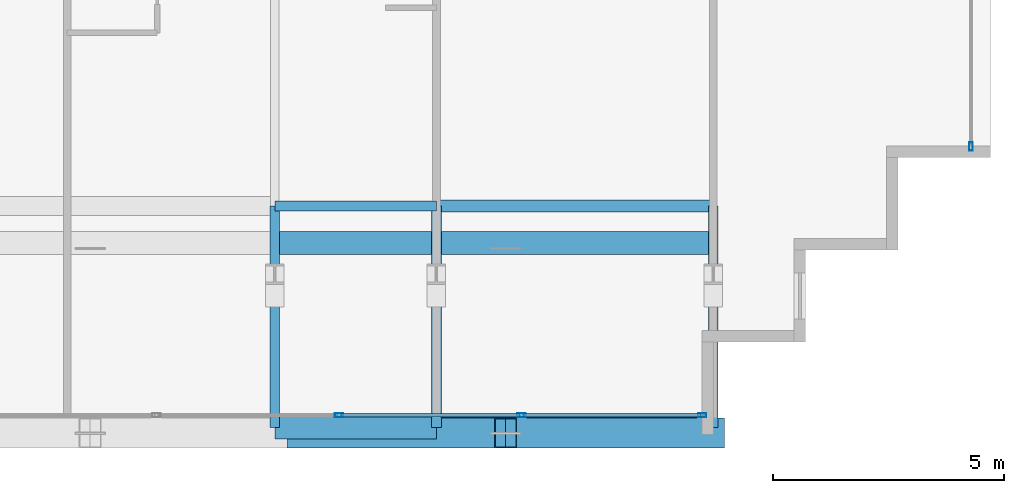
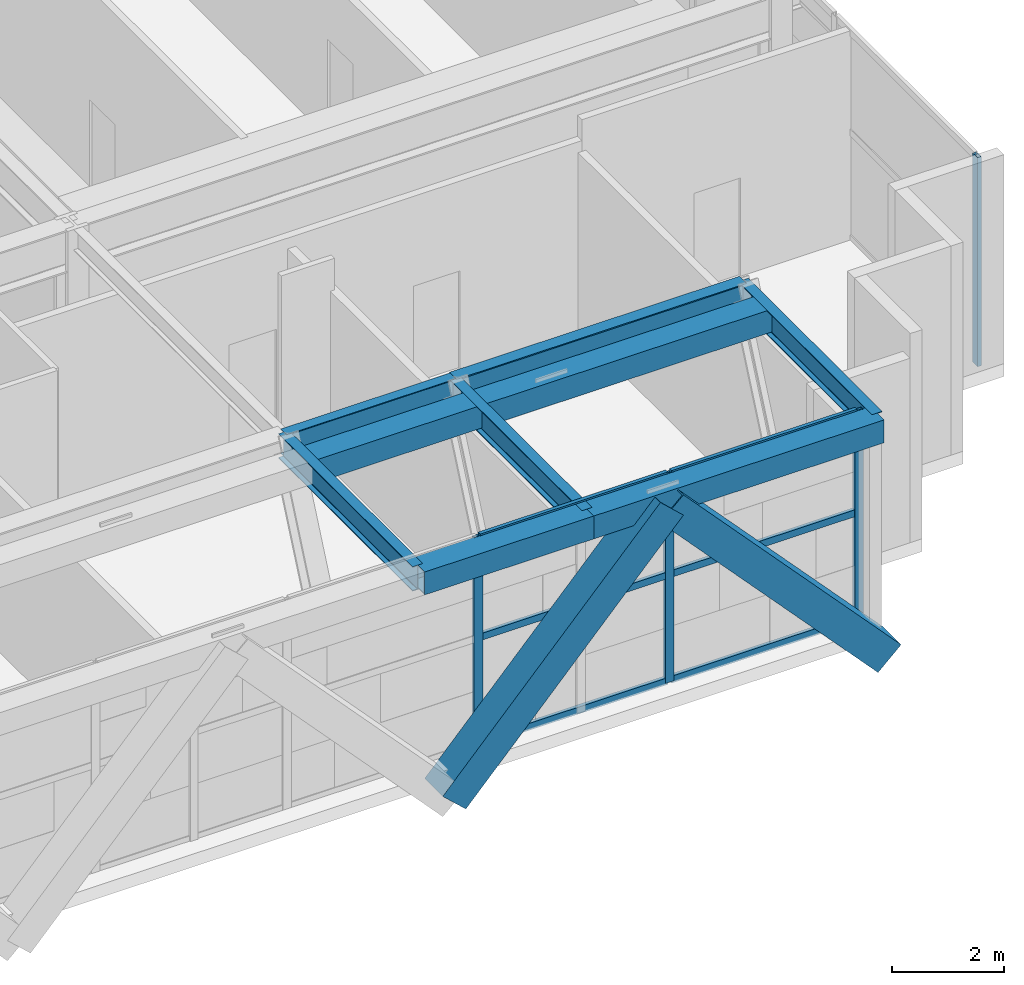
# One storey, part 10 of 35: 12 members, 9 beams, 2 elements without a shape of their own.
"""IFC4 building model written with IfcOpenShell, lengths in metres."""

from ifc_helpers import new_model, si_unit, direction, frame, origin, origin_2d, place, context, subcontext, project, spatial, hollow_rectangle, i_section, extrude, source, transform, mapped, material, layer, layer_set, material_profile, profile_set, type_object, element, aggregate, save


model = new_model("IFC4")

# Units and contexts
model_context = context("Model", 3, precision=1e-05, world=origin(), true_north=direction((0.0, 1.0)))
body_context = subcontext(model_context, "Body", "Model", "MODEL_VIEW")
ifc_project = project(units=[si_unit("LENGTHUNIT", "METRE"), si_unit("AREAUNIT", "SQUARE_METRE"), si_unit("VOLUMEUNIT", "CUBIC_METRE"), si_unit("PLANEANGLEUNIT", "RADIAN"), si_unit("MASSUNIT", "GRAM", prefix="KILO")], contexts=[model_context])

# Site, building, storey
site_placement = place(None, origin())
site = spatial("IfcSite", under=ifc_project, at=site_placement, CompositionType="ELEMENT")
building_placement = place(site_placement, origin())
building = spatial("IfcBuilding", under=site, at=building_placement, Name="Ocotamira Hotel", CompositionType="ELEMENT")
storey_placement = place(building_placement, frame((0.0, 0.0, 158.39990234375)))
storey = spatial("IfcBuildingStorey", under=building, at=storey_placement, Name="L39", CompositionType="ELEMENT", Elevation=158.39990234375)

# Beams
ifc_material_1 = material(Name="Steel ASTM A992 Grade 50", Category="steel")
ifc_material_profile_1 = material_profile(ifc_material_1, i_section(OverallWidth=0.256103515625, OverallDepth=0.693115234375, WebThickness=0.014404296875, FlangeThickness=0.023681640625, FilletRadius=0.01611328125, at=origin_2d()), Name="W27X114")
ifc_profile_set_1 = profile_set([ifc_material_profile_1], Name="Steel ASTM A992 Grade 50")
beam_type_1 = type_object("IfcBeamType", Name="BM-PRIM-W27X114", PredefinedType="BEAM", material=ifc_profile_set_1)
shared_shape_1 = source(origin(), body_context, "Body", "SweptSolid", [
    extrude(i_section(OverallWidth=0.256103515625, OverallDepth=0.693115234375, WebThickness=0.014404296875, FlangeThickness=0.023681640625, FilletRadius=0.01611328125, at=origin_2d()), origin(), (0.0, 0.0, 1.0), 6.0),
])
beam_1_placement = place(storey_placement, frame((44.0, 6.949951171875, 4.2236328125), z_axis=(1.0, 0.0, 0.0), x_axis=(0.0, 1.0, 0.0)))
element("IfcBeam", 1, at=beam_1_placement, inside=storey, type_object=beam_type_1, Name="L39 Girder Y6.95 X44-50", PredefinedType="BEAM", context=body_context, shape_type="MappedRepresentation", body=[
    mapped(shared_shape_1, transform((0.0, 0.0, 0.0), scale=1.0)),
])
ifc_material_profile_2 = material_profile(ifc_material_1, i_section(OverallWidth=0.2099609375, OverallDepth=0.537109375, WebThickness=0.010986328125, FlangeThickness=0.017333984375, FilletRadius=0.012939453125, at=origin_2d()), Name="W21X68")
ifc_profile_set_2 = profile_set([ifc_material_profile_2], Name="Steel ASTM A992 Grade 50")
beam_type_2 = type_object("IfcBeamType", Name="BM-SEC-W21X68", PredefinedType="JOIST", material=ifc_profile_set_2)
shared_shape_2 = source(origin(), body_context, "Body", "SweptSolid", [
    extrude(i_section(OverallWidth=0.2099609375, OverallDepth=0.537109375, WebThickness=0.010986328125, FlangeThickness=0.017333984375, FilletRadius=0.012939453125, at=origin_2d()), origin(), (0.0, 0.0, 1.0), 3.5),
])
beam_2_placement = place(storey_placement, frame((40.5, 6.949951171875, 4.301513671875), z_axis=(1.0, 0.0, 0.0), x_axis=(0.0, 1.0, 0.0)))
element("IfcBeam", 2, at=beam_2_placement, inside=storey, type_object=beam_type_2, Name="L39 Girder Y6.95 X40.5-44", PredefinedType="JOIST", context=body_context, shape_type="MappedRepresentation", body=[
    mapped(shared_shape_2, transform((0.0, 0.0, 0.0), scale=1.0)),
])
ifc_material_2 = material(Name="Steel ASTM A500 Grade C", Category="steel")
ifc_material_profile_3 = material_profile(ifc_material_2, hollow_rectangle(XDim=0.5, YDim=0.5, WallThickness=0.02001953125, at=origin_2d()), Name="HSS500X500X20")
ifc_profile_set_3 = profile_set([ifc_material_profile_3], Name="Steel ASTM A500 Grade C")
beam_type_3 = type_object("IfcBeamType", Name="BM-SPAN-HSS500", PredefinedType="USERDEFINED", material=ifc_profile_set_3)
shared_shape_3 = source(origin(), body_context, "Body", "SweptSolid", [
    extrude(hollow_rectangle(XDim=0.5, YDim=0.5, WallThickness=0.02001953125, at=origin_2d()), origin(), (0.0, 0.0, 1.0), 6.0),
])
for number, where, z_axis, x_axis, name in (
    (3, (44.0, 6.14990234375, 4.320068359375), (1.0, 0.0, 0.0), (0.0, 1.0, 0.0), "L39 Inner Setback Spandrel S X44"),
    (4, (44.0, 2.14990234375, 4.320068359375), (1.0, 0.0, 0.0), (0.0, 1.0, 0.0), "L39 Edge Spandrel S X44-50"),
):
    element("IfcBeam", number, at=place(storey_placement, frame(where, z_axis=z_axis, x_axis=x_axis)), inside=storey, type_object=beam_type_3, Name=name, ObjectType="SPANDREL", PredefinedType="USERDEFINED", context=body_context, shape_type="MappedRepresentation", body=[
        mapped(shared_shape_3, transform((0.0, 0.0, 0.0), scale=1.0)),
    ])
shared_shape_4 = source(origin(), body_context, "Body", "SweptSolid", [
    extrude(hollow_rectangle(XDim=0.5, YDim=0.5, WallThickness=0.02001953125, at=origin_2d()), origin(), (0.0, 0.0, 1.0), 3.5),
])
for number, where, z_axis, x_axis, name in (
    (5, (40.5, 6.14990234375, 4.320068359375), (1.0, 0.0, 0.0), (0.0, 1.0, 0.0), "L39 Inner Setback Spandrel S X40.5"),
    (6, (40.5, 2.14990234375, 4.320068359375), (1.0, 0.0, 0.0), (0.0, 1.0, 0.0), "L39 Edge Spandrel S X40.5-44"),
):
    element("IfcBeam", number, at=place(storey_placement, frame(where, z_axis=z_axis, x_axis=x_axis)), inside=storey, type_object=beam_type_3, Name=name, ObjectType="SPANDREL", PredefinedType="USERDEFINED", context=body_context, shape_type="MappedRepresentation", body=[
        mapped(shared_shape_4, transform((0.0, 0.0, 0.0), scale=1.0)),
    ])
shared_shape_5 = source(origin(), body_context, "Body", "SweptSolid", [
    extrude(i_section(OverallWidth=0.2099609375, OverallDepth=0.537109375, WebThickness=0.010986328125, FlangeThickness=0.017333984375, FilletRadius=0.012939453125, at=origin_2d()), origin(), (0.0, 0.0, 1.0), 4.800048828125),
])
for number, where, z_axis, x_axis, name in (
    (7, (40.5, 6.949951171875, 4.301513671875), (0.0, -1.0, 0.0), (1.0, 0.0, 0.0), "L39 South Edge Header X40.5"),
    (8, (44.0, 6.949951171875, 4.301513671875), (0.0, -1.0, 0.0), (1.0, 0.0, 0.0), "L39 South Edge Header X44"),
    (9, (50.0, 6.949951171875, 4.301513671875), (0.0, -1.0, 0.0), (1.0, 0.0, 0.0), "L39 South Edge Header X50"),
):
    element("IfcBeam", number, at=place(storey_placement, frame(where, z_axis=z_axis, x_axis=x_axis)), inside=storey, type_object=beam_type_2, Name=name, PredefinedType="JOIST", context=body_context, shape_type="MappedRepresentation", body=[
        mapped(shared_shape_5, transform((0.0, 0.0, 0.0), scale=1.0)),
    ])

# Members
ifc_material_3 = material(Name="Pale-metal coated steel ASTM A913 Grade 65", Category="steel")
ifc_material_profile_4 = material_profile(ifc_material_3, hollow_rectangle(XDim=0.64990234375, YDim=0.64990234375, WallThickness=0.02197265625, at=origin_2d()), Name="BOX650X650X22")
ifc_profile_set_4 = profile_set([ifc_material_profile_4], Name="Pale-metal coated steel ASTM A913 Grade 65")
member_type_1 = type_object("IfcMemberType", Name="MEM-EXO-BOX650", PredefinedType="BRACE", material=ifc_profile_set_4)
shared_shape_6 = source(origin(), body_context, "Body", "SweptSolid", [
    extrude(hollow_rectangle(XDim=0.64990234375, YDim=0.64990234375, WallThickness=0.02197265625, at=origin_2d()), origin(), (0.0, 0.0, 1.0), 6.615966796875),
])
for number, where, z_axis, x_axis, name in (
    (10, (41.0, 2.030029296875, -0.52978515625), (0.680172214763, 0.0, 0.73305235711), (0.0, 1.0, 0.0), "L39 Exoskeleton Diagrid S3.1"),
    (11, (50.0, 2.030029296875, -0.52978515625), (-0.680172214763, 0.0, 0.73305235711), (0.0, -1.0, 0.0), "L39 Exoskeleton Diagrid S3.2"),
):
    element("IfcMember", number, at=place(storey_placement, frame(where, z_axis=z_axis, x_axis=x_axis)), inside=storey, type_object=member_type_1, Name=name, PredefinedType="BRACE", context=body_context, shape_type="MappedRepresentation", body=[
        mapped(shared_shape_6, transform((0.0, 0.0, 0.0), scale=1.0)),
    ])

# Curtain wall, members
ifc_material_4 = material(Name="Anodised pale-metal aluminium and solar glass", Category="aluminium")
ifc_layer = layer(ifc_material_4, 0.239990234375)
ifc_layer_set = layer_set([ifc_layer], Name="Anodised pale-metal aluminium and solar glass")
curtain_wall_type = type_object("IfcCurtainWallType", Name="CW-SYS5-SKY", PredefinedType="NOTDEFINED", material=ifc_layer_set)
curtain_wall_1_placement = place(storey_placement, origin())
curtain_wall_1 = element("IfcCurtainWall", 12, at=curtain_wall_1_placement, inside=storey, type_object=curtain_wall_type, Name="L39 Curtain Wall CW-5 CW-L39-S1", PredefinedType="NOTDEFINED")
ifc_material_5 = material(Name="Anodised pale-metal aluminium 6063-T6", Category="aluminium")
ifc_material_profile_5 = material_profile(ifc_material_5, hollow_rectangle(XDim=0.074951171875, YDim=0.14990234375, WallThickness=0.006103515625, at=origin_2d()), Name="HSS150X75X6")
ifc_profile_set_5 = profile_set([ifc_material_profile_5], Name="Anodised pale-metal aluminium 6063-T6")
member_type_2 = type_object("IfcMemberType", Name="CWT-150X75", PredefinedType="USERDEFINED", material=ifc_profile_set_5)
shared_shape_7 = source(origin(), body_context, "Body", "SweptSolid", [
    extrude(hollow_rectangle(XDim=0.074951171875, YDim=0.14990234375, WallThickness=0.006103515625, at=origin_2d()), origin(), (0.0, 0.0, 1.0), 3.83544921875),
])
member_1_placement = place(storey_placement, frame((45.884521484375, 2.419921875, 0.03759765625), z_axis=(1.0, 0.0, 0.0), x_axis=(0.0, 1.0, 0.0)))
member_1 = element("IfcMember", 13, at=member_1_placement, type_object=member_type_2, Name="CW-5 transom 9.1", ObjectType="TRANSOM", PredefinedType="USERDEFINED", context=body_context, shape_type="MappedRepresentation", body=[
    mapped(shared_shape_7, transform((0.0, 0.0, 0.0), scale=1.0)),
])
member_2_placement = place(storey_placement, frame((45.884521484375, 2.419921875, 2.35009765625), z_axis=(1.0, 0.0, 0.0), x_axis=(0.0, 1.0, 0.0)))
member_2 = element("IfcMember", 14, at=member_2_placement, type_object=member_type_2, Name="CW-5 transom 9.2", ObjectType="TRANSOM", PredefinedType="USERDEFINED", context=body_context, shape_type="MappedRepresentation", body=[
    mapped(shared_shape_7, transform((0.0, 0.0, 0.0), scale=1.0)),
])
member_3_placement = place(storey_placement, frame((45.884521484375, 2.419921875, 4.53271484375), z_axis=(1.0, 0.0, 0.0), x_axis=(0.0, 1.0, 0.0)))
member_3 = element("IfcMember", 15, at=member_3_placement, type_object=member_type_2, Name="CW-5 transom 9.3", ObjectType="TRANSOM", PredefinedType="USERDEFINED", context=body_context, shape_type="MappedRepresentation", body=[
    mapped(shared_shape_7, transform((0.0, 0.0, 0.0), scale=1.0)),
])
shared_shape_8 = source(origin(), body_context, "Body", "SweptSolid", [
    extrude(hollow_rectangle(XDim=0.074951171875, YDim=0.14990234375, WallThickness=0.006103515625, at=origin_2d()), origin(), (0.0, 0.0, 1.0), 3.87548828125),
])
member_4_placement = place(storey_placement, frame((41.928955078125, 2.419921875, 0.03759765625), z_axis=(1.0, 0.0, 0.0), x_axis=(0.0, 1.0, 0.0)))
member_4 = element("IfcMember", 16, at=member_4_placement, type_object=member_type_2, Name="CW-5 transom 8.1", ObjectType="TRANSOM", PredefinedType="USERDEFINED", context=body_context, shape_type="MappedRepresentation", body=[
    mapped(shared_shape_8, transform((0.0, 0.0, 0.0), scale=1.0)),
])
member_5_placement = place(storey_placement, frame((41.928955078125, 2.419921875, 2.35009765625), z_axis=(1.0, 0.0, 0.0), x_axis=(0.0, 1.0, 0.0)))
member_5 = element("IfcMember", 17, at=member_5_placement, type_object=member_type_2, Name="CW-5 transom 8.2", ObjectType="TRANSOM", PredefinedType="USERDEFINED", context=body_context, shape_type="MappedRepresentation", body=[
    mapped(shared_shape_8, transform((0.0, 0.0, 0.0), scale=1.0)),
])
member_6_placement = place(storey_placement, frame((41.928955078125, 2.419921875, 4.53271484375), z_axis=(1.0, 0.0, 0.0), x_axis=(0.0, 1.0, 0.0)))
member_6 = element("IfcMember", 18, at=member_6_placement, type_object=member_type_2, Name="CW-5 transom 8.3", ObjectType="TRANSOM", PredefinedType="USERDEFINED", context=body_context, shape_type="MappedRepresentation", body=[
    mapped(shared_shape_8, transform((0.0, 0.0, 0.0), scale=1.0)),
])
ifc_material_profile_6 = material_profile(ifc_material_5, hollow_rectangle(XDim=0.080078125, YDim=0.179931640625, WallThickness=0.006103515625, at=origin_2d()), Name="HSS180X80X6")
ifc_profile_set_6 = profile_set([ifc_material_profile_6], Name="Anodised pale-metal aluminium 6063-T6")
member_type_3 = type_object("IfcMemberType", Name="CWM-180X75", PredefinedType="MULLION", material=ifc_profile_set_6)
shared_shape_9 = source(origin(), body_context, "Body", "SweptSolid", [
    extrude(hollow_rectangle(XDim=0.080078125, YDim=0.179931640625, WallThickness=0.006103515625, at=origin_2d()), origin(), (0.0, 0.0, 1.0), 4.570068359375),
])
member_7_placement = place(storey_placement, frame((41.888916015625, 2.419921875, 0.0), z_axis=(0.0, 0.0, 1.0), x_axis=(0.0, 1.0, 0.0)))
member_7 = element("IfcMember", 19, at=member_7_placement, type_object=member_type_3, Name="CW-5 mullion 8", PredefinedType="MULLION", context=body_context, shape_type="MappedRepresentation", body=[
    mapped(shared_shape_9, transform((0.0, 0.0, 0.0), scale=1.0)),
])
member_8_placement = place(storey_placement, frame((45.844482421875, 2.419921875, 0.0), z_axis=(0.0, 0.0, 1.0), x_axis=(0.0, 1.0, 0.0)))
member_8 = element("IfcMember", 20, at=member_8_placement, type_object=member_type_3, Name="CW-5 mullion 9", PredefinedType="MULLION", context=body_context, shape_type="MappedRepresentation", body=[
    mapped(shared_shape_9, transform((0.0, 0.0, 0.0), scale=1.0)),
])
member_9_placement = place(storey_placement, frame((49.760009765625, 2.419921875, 0.0), z_axis=(0.0, 0.0, 1.0), x_axis=(0.0, 1.0, 0.0)))
member_9 = element("IfcMember", 21, at=member_9_placement, type_object=member_type_3, Name="CW-5 mullion 10", PredefinedType="MULLION", context=body_context, shape_type="MappedRepresentation", body=[
    mapped(shared_shape_9, transform((0.0, 0.0, 0.0), scale=1.0)),
])
aggregate(curtain_wall_1, [member_7, member_8, member_9, member_4, member_5, member_6, member_1, member_2, member_3])

# Curtain wall, member
curtain_wall_2_placement = place(storey_placement, origin())
curtain_wall_2 = element("IfcCurtainWall", 22, at=curtain_wall_2_placement, inside=storey, type_object=curtain_wall_type, Name="L39 Curtain Wall CW-5 CW-L39-E", PredefinedType="NOTDEFINED")
member_10_placement = place(storey_placement, frame((55.580078125, 8.239990234375, 0.0), z_axis=(0.0, 0.0, 1.0), x_axis=(-1.0, 0.0, 0.0)))
member_10 = element("IfcMember", 23, at=member_10_placement, type_object=member_type_3, Name="CW-5 mullion 1", PredefinedType="MULLION", context=body_context, shape_type="MappedRepresentation", body=[
    mapped(shared_shape_9, transform((0.0, 0.0, 0.0), scale=1.0)),
])
aggregate(curtain_wall_2, [member_10])

save(model, "model.ifc")
